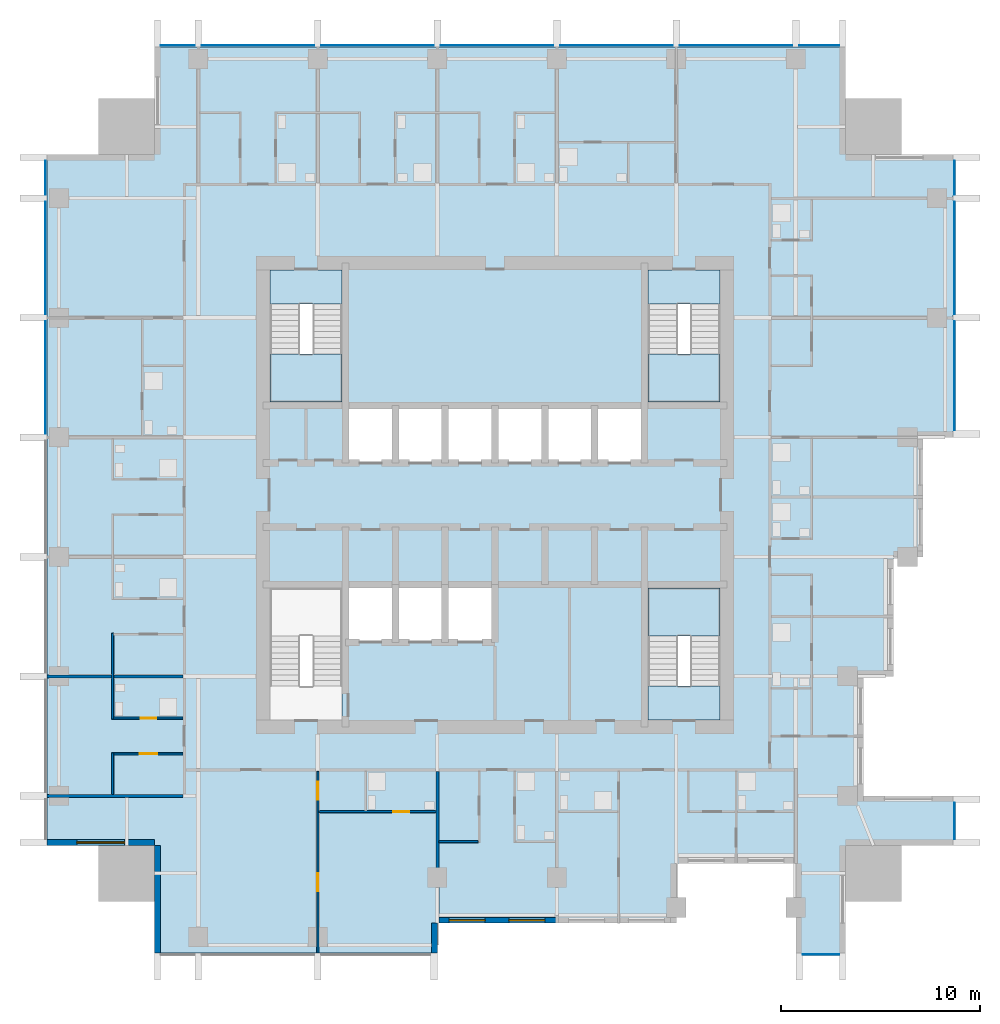
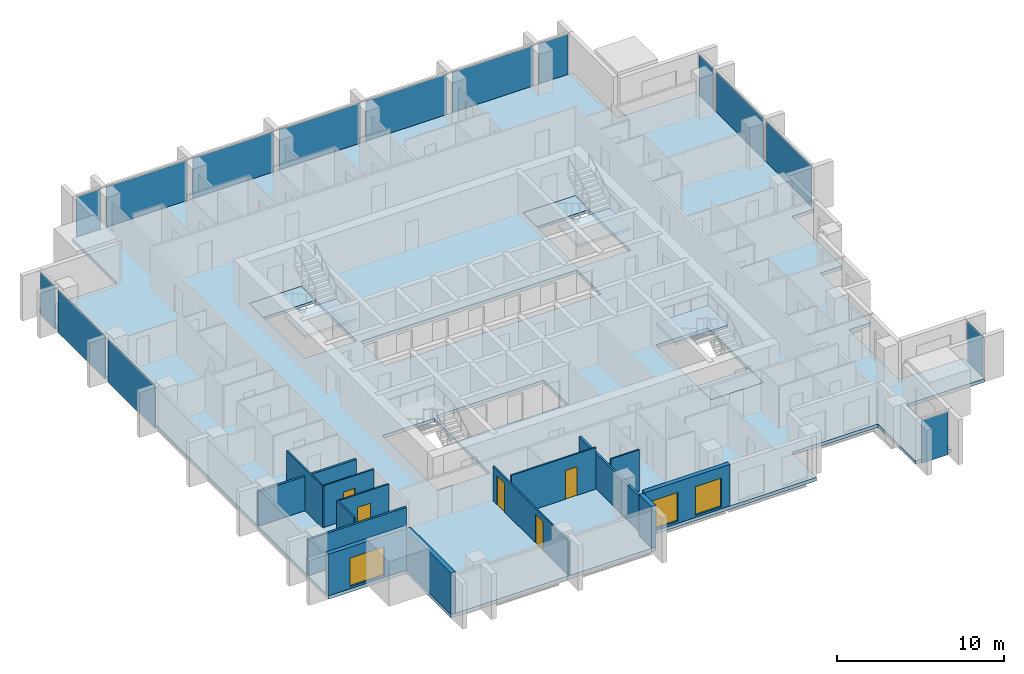
# One storey, part 3 of 10: 15 plates, 14 walls, 7 slabs, 5 doors, 3 windows, 8 openings, 8 elements without a shape of their own.
"""IFC4 building model written with IfcOpenShell, lengths in metres."""

from ifc_helpers import new_model, si_unit, direction, frame, frame_2d, origin, origin_2d, place, context, subcontext, project, spatial, polyline, rectangle, outline, extrude, material, layer, layer_set, type_object, element, fill, aggregate, save


model = new_model("IFC4")

# Units and contexts
model_context = context("Model", 3, precision=1e-05, world=origin(), true_north=direction((0.0, 1.0)))
body_context = subcontext(model_context, "Body", "Model", "MODEL_VIEW")
ifc_project = project(units=[si_unit("LENGTHUNIT", "METRE"), si_unit("AREAUNIT", "SQUARE_METRE"), si_unit("VOLUMEUNIT", "CUBIC_METRE"), si_unit("PLANEANGLEUNIT", "RADIAN"), si_unit("MASSUNIT", "GRAM", prefix="KILO")], contexts=[model_context])

# Site, building, storey
site_placement = place(None, origin())
site = spatial("IfcSite", under=ifc_project, at=site_placement, CompositionType="ELEMENT")
building_placement = place(site_placement, origin())
building = spatial("IfcBuilding", under=site, at=building_placement, Name="Amberfall Residences", CompositionType="ELEMENT")
storey_placement = place(building_placement, frame((0.0, 0.0, 158.199951171875)))
storey = spatial("IfcBuildingStorey", under=building, at=storey_placement, Name="L42", CompositionType="ELEMENT", Elevation=158.199951171875)

# Curtain wall, plate
ifc_material_1 = material(Name="Bronze anodised aluminium and glass", Category="aluminium")
curtain_wall_type = type_object("IfcCurtainWallType", Name="Curtain wall CW1 tower unit", PredefinedType="USERDEFINED", material=ifc_material_1)
curtain_wall_1_placement = place(storey_placement, origin())
curtain_wall_1 = element("IfcCurtainWall", 1, at=curtain_wall_1_placement, inside=storey, type_object=curtain_wall_type, Name="Curtain wall L42 S S8", ObjectType="UNITISED CURTAIN WALL", PredefinedType="USERDEFINED")
ifc_material_2 = material(Name="Tinted double glazed unit", Category="glass")
ifc_layer_1 = layer(ifc_material_2, 0.035888671875)
ifc_layer_set_1 = layer_set([ifc_layer_1], Name="CW1 panel 36 glazing")
plate_type = type_object("IfcPlateType", Name="CW1 panel 36 glazing", PredefinedType="CURTAIN_PANEL", material=ifc_layer_set_1)
plate_1_placement = place(storey_placement, frame((90.875, 22.425048828125, -0.25), z_axis=(0.0, 0.0, 1.0), x_axis=(1.0, 0.0, 0.0)))
plate_1 = element("IfcPlate", 2, at=plate_1_placement, type_object=plate_type, Name="CW1 panel 1.1", PredefinedType="CURTAIN_PANEL", context=body_context, shape_type="SweptSolid", body=[
    extrude(rectangle(XDim=1.825927734375, YDim=0.035888671875, at=origin_2d()), origin(), (0.0, 0.0, 1.0), 3.14990234375),
])
aggregate(curtain_wall_1, [plate_1])

curtain_wall_2_placement = place(storey_placement, origin())
curtain_wall_2 = element("IfcCurtainWall", 3, at=curtain_wall_2_placement, inside=storey, type_object=curtain_wall_type, Name="Curtain wall L42 E E1", ObjectType="UNITISED CURTAIN WALL", PredefinedType="USERDEFINED")
plate_2_placement = place(storey_placement, frame((97.574951171875, 29.125, -0.25), z_axis=(0.0, 0.0, 1.0), x_axis=(0.0, 1.0, 0.0)))
plate_2 = element("IfcPlate", 4, at=plate_2_placement, type_object=plate_type, Name="CW1 panel 1.1", PredefinedType="CURTAIN_PANEL", context=body_context, shape_type="SweptSolid", body=[
    extrude(rectangle(XDim=1.825927734375, YDim=0.035888671875, at=origin_2d()), origin(), (0.0, 0.0, 1.0), 3.14990234375),
])
aggregate(curtain_wall_2, [plate_2])

# Curtain wall, plates
curtain_wall_3_placement = place(storey_placement, origin())
curtain_wall_3 = element("IfcCurtainWall", 5, at=curtain_wall_3_placement, inside=storey, type_object=curtain_wall_type, Name="Curtain wall L42 E E9", ObjectType="UNITISED CURTAIN WALL", PredefinedType="USERDEFINED")
plate_3_placement = place(storey_placement, frame((97.574951171875, 51.487548828125, -0.25), z_axis=(0.0, 0.0, 1.0), x_axis=(0.0, 1.0, 0.0)))
plate_3 = element("IfcPlate", 6, at=plate_3_placement, type_object=plate_type, Name="CW1 panel 1.1", PredefinedType="CURTAIN_PANEL", context=body_context, shape_type="SweptSolid", body=[
    extrude(rectangle(XDim=5.450927734375, YDim=0.035888671875, at=origin_2d()), origin(), (0.0, 0.0, 1.0), 3.14990234375),
])
plate_4_placement = place(storey_placement, frame((97.574951171875, 57.39990234375, -0.25), z_axis=(0.0, 0.0, 1.0), x_axis=(0.0, 1.0, 0.0)))
plate_4 = element("IfcPlate", 7, at=plate_4_placement, type_object=plate_type, Name="CW1 panel 2.1", PredefinedType="CURTAIN_PANEL", context=body_context, shape_type="SweptSolid", body=[
    extrude(rectangle(XDim=5.6259765625, YDim=0.035888671875, at=origin_2d()), origin(), (0.0, 0.0, 1.0), 3.14990234375),
])
plate_5_placement = place(storey_placement, frame((97.574951171875, 61.4375, -0.25), z_axis=(0.0, 0.0, 1.0), x_axis=(0.0, 1.0, 0.0)))
plate_5 = element("IfcPlate", 8, at=plate_5_placement, type_object=plate_type, Name="CW1 panel 3.1", PredefinedType="CURTAIN_PANEL", context=body_context, shape_type="SweptSolid", body=[
    extrude(rectangle(XDim=1.700927734375, YDim=0.035888671875, at=origin_2d()), origin(), (0.0, 0.0, 1.0), 3.14990234375),
])
aggregate(curtain_wall_3, [plate_3, plate_4, plate_5])

curtain_wall_4_placement = place(storey_placement, origin())
curtain_wall_4 = element("IfcCurtainWall", 9, at=curtain_wall_4_placement, inside=storey, type_object=curtain_wall_type, Name="Curtain wall L42 N N1", ObjectType="UNITISED CURTAIN WALL", PredefinedType="USERDEFINED")
plate_6_placement = place(storey_placement, frame((90.78759765625, 68.074951171875, -0.25), z_axis=(0.0, 0.0, 1.0), x_axis=(-1.0, 0.0, 0.0)))
plate_6 = element("IfcPlate", 10, at=plate_6_placement, type_object=plate_type, Name="CW1 panel 1.1", PredefinedType="CURTAIN_PANEL", context=body_context, shape_type="SweptSolid", body=[
    extrude(rectangle(XDim=2.0009765625, YDim=0.035888671875, at=origin_2d()), origin(), (0.0, 0.0, 1.0), 3.14990234375),
])
plate_7_placement = place(storey_placement, frame((86.60009765625, 68.074951171875, -0.25), z_axis=(0.0, 0.0, 1.0), x_axis=(-1.0, 0.0, 0.0)))
plate_7 = element("IfcPlate", 11, at=plate_7_placement, type_object=plate_type, Name="CW1 panel 2.1", PredefinedType="CURTAIN_PANEL", context=body_context, shape_type="SweptSolid", body=[
    extrude(rectangle(XDim=5.6259765625, YDim=0.035888671875, at=origin_2d()), origin(), (0.0, 0.0, 1.0), 3.14990234375),
])
plate_8_placement = place(storey_placement, frame((80.60009765625, 68.074951171875, -0.25), z_axis=(0.0, 0.0, 1.0), x_axis=(-1.0, 0.0, 0.0)))
plate_8 = element("IfcPlate", 12, at=plate_8_placement, type_object=plate_type, Name="CW1 panel 3.1", PredefinedType="CURTAIN_PANEL", context=body_context, shape_type="SweptSolid", body=[
    extrude(rectangle(XDim=5.6259765625, YDim=0.035888671875, at=origin_2d()), origin(), (0.0, 0.0, 1.0), 3.14990234375),
])
plate_9_placement = place(storey_placement, frame((74.60009765625, 68.074951171875, -0.25), z_axis=(0.0, 0.0, 1.0), x_axis=(-1.0, 0.0, 0.0)))
plate_9 = element("IfcPlate", 13, at=plate_9_placement, type_object=plate_type, Name="CW1 panel 4.1", PredefinedType="CURTAIN_PANEL", context=body_context, shape_type="SweptSolid", body=[
    extrude(rectangle(XDim=5.6259765625, YDim=0.035888671875, at=origin_2d()), origin(), (0.0, 0.0, 1.0), 3.14990234375),
])
plate_10_placement = place(storey_placement, frame((68.60009765625, 68.074951171875, -0.25), z_axis=(0.0, 0.0, 1.0), x_axis=(-1.0, 0.0, 0.0)))
plate_10 = element("IfcPlate", 14, at=plate_10_placement, type_object=plate_type, Name="CW1 panel 5.1", PredefinedType="CURTAIN_PANEL", context=body_context, shape_type="SweptSolid", body=[
    extrude(rectangle(XDim=5.6259765625, YDim=0.035888671875, at=origin_2d()), origin(), (0.0, 0.0, 1.0), 3.14990234375),
])
plate_11_placement = place(storey_placement, frame((62.60009765625, 68.074951171875, -0.25), z_axis=(0.0, 0.0, 1.0), x_axis=(-1.0, 0.0, 0.0)))
plate_11 = element("IfcPlate", 15, at=plate_11_placement, type_object=plate_type, Name="CW1 panel 6.1", PredefinedType="CURTAIN_PANEL", context=body_context, shape_type="SweptSolid", body=[
    extrude(rectangle(XDim=5.6259765625, YDim=0.035888671875, at=origin_2d()), origin(), (0.0, 0.0, 1.0), 3.14990234375),
])
plate_12_placement = place(storey_placement, frame((58.5625, 68.074951171875, -0.25), z_axis=(0.0, 0.0, 1.0), x_axis=(-1.0, 0.0, 0.0)))
plate_12 = element("IfcPlate", 16, at=plate_12_placement, type_object=plate_type, Name="CW1 panel 7.1", PredefinedType="CURTAIN_PANEL", context=body_context, shape_type="SweptSolid", body=[
    extrude(rectangle(XDim=1.700927734375, YDim=0.035888671875, at=origin_2d()), origin(), (0.0, 0.0, 1.0), 3.14990234375),
])
aggregate(curtain_wall_4, [plate_6, plate_7, plate_8, plate_9, plate_10, plate_11, plate_12])

curtain_wall_5_placement = place(storey_placement, origin())
curtain_wall_5 = element("IfcCurtainWall", 17, at=curtain_wall_5_placement, inside=storey, type_object=curtain_wall_type, Name="Curtain wall L42 W W1", ObjectType="UNITISED CURTAIN WALL", PredefinedType="USERDEFINED")
plate_13_placement = place(storey_placement, frame((51.925048828125, 61.4375, -0.25), z_axis=(0.0, 0.0, 1.0), x_axis=(0.0, -1.0, 0.0)))
plate_13 = element("IfcPlate", 18, at=plate_13_placement, type_object=plate_type, Name="CW1 panel 1.1", PredefinedType="CURTAIN_PANEL", context=body_context, shape_type="SweptSolid", body=[
    extrude(rectangle(XDim=1.700927734375, YDim=0.035888671875, at=origin_2d()), origin(), (0.0, 0.0, 1.0), 3.14990234375),
])
plate_14_placement = place(storey_placement, frame((51.925048828125, 57.39990234375, -0.25), z_axis=(0.0, 0.0, 1.0), x_axis=(0.0, -1.0, 0.0)))
plate_14 = element("IfcPlate", 19, at=plate_14_placement, type_object=plate_type, Name="CW1 panel 2.1", PredefinedType="CURTAIN_PANEL", context=body_context, shape_type="SweptSolid", body=[
    extrude(rectangle(XDim=5.6259765625, YDim=0.035888671875, at=origin_2d()), origin(), (0.0, 0.0, 1.0), 3.14990234375),
])
plate_15_placement = place(storey_placement, frame((51.925048828125, 51.39990234375, -0.25), z_axis=(0.0, 0.0, 1.0), x_axis=(0.0, -1.0, 0.0)))
plate_15 = element("IfcPlate", 20, at=plate_15_placement, type_object=plate_type, Name="CW1 panel 3.1", PredefinedType="CURTAIN_PANEL", context=body_context, shape_type="SweptSolid", body=[
    extrude(rectangle(XDim=5.6259765625, YDim=0.035888671875, at=origin_2d()), origin(), (0.0, 0.0, 1.0), 3.14990234375),
])
aggregate(curtain_wall_5, [plate_13, plate_14, plate_15])

# Slab
ifc_material_3 = material(Name="Concrete C60", Category="concrete")
ifc_layer_2 = layer(ifc_material_3, 0.25)
ifc_layer_set_2 = layer_set([ifc_layer_2], Name="Floor slab 250 C60")
slab_type_1 = type_object("IfcSlabType", Name="Floor slab 250 C60", PredefinedType="FLOOR", material=ifc_layer_set_2)
slab_1_placement = place(storey_placement, frame((0.0, 0.0, -0.25)))
element("IfcSlab", 21, at=slab_1_placement, inside=storey, type_object=slab_type_1, Name="Floor slab S10 L42", PredefinedType="FLOOR", context=body_context, shape_type="SweptSolid", body=[
    extrude(outline(polyline([(89.60009765625, 22.5), (89.60009765625, 27.0), (83.60009765625, 27.0), (83.60009765625, 24.0), (77.60009765625, 24.0), (71.60009765625, 24.0), (71.60009765625, 22.5), (57.39990234375, 22.5), (57.39990234375, 27.89990234375), (52.0, 27.89990234375), (52.0, 62.60009765625), (57.39990234375, 62.60009765625), (57.39990234375, 68.0), (92.10009765625, 68.0), (92.10009765625, 62.60009765625), (97.5, 62.60009765625), (97.5, 48.39990234375), (96.0, 48.39990234375), (96.0, 42.39990234375), (94.5, 42.39990234375), (94.5, 36.39990234375), (93.0, 36.39990234375), (93.0, 30.39990234375), (97.5, 30.39990234375), (97.5, 27.89990234375), (92.10009765625, 27.89990234375), (92.10009765625, 22.5), (89.60009765625, 22.5)]), holes=[polyline([(85.800048828125, 34.199951171875), (85.800048828125, 40.824951171875), (82.175048828125, 40.824951171875), (82.175048828125, 34.199951171875), (85.800048828125, 34.199951171875)]), polyline([(85.800048828125, 50.175048828125), (85.800048828125, 56.800048828125), (82.175048828125, 56.800048828125), (82.175048828125, 50.175048828125), (85.800048828125, 50.175048828125)]), polyline([(67.0, 50.0), (67.0, 47.10009765625), (69.5, 47.10009765625), (72.0, 47.10009765625), (74.5, 47.10009765625), (77.0, 47.10009765625), (79.5, 47.10009765625), (82.0, 47.10009765625), (82.0, 50.0), (79.5, 50.0), (77.0, 50.0), (74.5, 50.0), (72.0, 50.0), (69.5, 50.0), (67.0, 50.0)]), polyline([(69.5, 41.0), (67.0, 41.0), (67.0, 38.10009765625), (69.5, 38.10009765625), (72.0, 38.10009765625), (74.5, 38.10009765625), (74.5, 41.0), (72.0, 41.0), (69.5, 41.0)]), polyline([(66.824951171875, 40.824951171875), (63.199951171875, 40.824951171875), (63.199951171875, 34.199951171875), (66.824951171875, 34.199951171875), (66.824951171875, 40.824951171875)]), polyline([(66.824951171875, 56.800048828125), (63.199951171875, 56.800048828125), (63.199951171875, 50.175048828125), (66.824951171875, 50.175048828125), (66.824951171875, 56.800048828125)])]), origin(), (0.0, 0.0, 1.0), 0.25),
])

# Stair, slabs
ifc_material_4 = material(Name="Concrete C40", Category="concrete")
stair_type = type_object("IfcStairType", Name="Exit stair 20 risers 165.0 mm", PredefinedType="HALF_TURN_STAIR", material=ifc_material_4)
stair_1_placement = place(storey_placement, origin())
stair_1 = element("IfcStair", 22, at=stair_1_placement, inside=storey, type_object=stair_type, Name="L42 Exit stair 2", PredefinedType="HALF_TURN_STAIR")
ifc_layer_3 = layer(ifc_material_4, 0.199951171875)
ifc_layer_set_3 = layer_set([ifc_layer_3], Name="Stair landing 200")
slab_type_2 = type_object("IfcSlabType", Name="Stair landing 200", PredefinedType="LANDING", material=ifc_layer_set_3)
slab_2_placement = place(storey_placement, frame((0.0, 0.0, 1.449951171875)))
slab_2 = element("IfcSlab", 23, at=slab_2_placement, type_object=slab_type_2, Name="ST3 landing 1", PredefinedType="LANDING", context=body_context, shape_type="SweptSolid", body=[
    extrude(outline(polyline([(85.800048828125, 38.419921875), (85.800048828125, 40.824951171875), (82.175048828125, 40.824951171875), (82.175048828125, 38.419921875), (85.800048828125, 38.419921875)])), origin(), (0.0, 0.0, 1.0), 0.2001953125),
])
slab_3_placement = place(storey_placement, frame((0.0, 0.0, -0.199951171875)))
slab_3 = element("IfcSlab", 24, at=slab_3_placement, type_object=slab_type_2, Name="ST3 landing 2", PredefinedType="LANDING", context=body_context, shape_type="SweptSolid", body=[
    extrude(outline(polyline([(85.800048828125, 34.199951171875), (85.800048828125, 35.89990234375), (82.175048828125, 35.89990234375), (82.175048828125, 34.199951171875), (85.800048828125, 34.199951171875)])), origin(), (0.0, 0.0, 1.0), 0.199951171875),
])
aggregate(stair_1, [slab_2, slab_3])

stair_2_placement = place(storey_placement, origin())
stair_2 = element("IfcStair", 25, at=stair_2_placement, inside=storey, type_object=stair_type, Name="L42 Exit stair 3", PredefinedType="HALF_TURN_STAIR")
slab_4_placement = place(storey_placement, frame((0.0, 0.0, 1.449951171875)))
slab_4 = element("IfcSlab", 26, at=slab_4_placement, type_object=slab_type_2, Name="ST3 landing 1", PredefinedType="LANDING", context=body_context, shape_type="SweptSolid", body=[
    extrude(outline(polyline([(82.175048828125, 52.580078125), (82.175048828125, 50.175048828125), (85.800048828125, 50.175048828125), (85.800048828125, 52.580078125), (82.175048828125, 52.580078125)])), origin(), (0.0, 0.0, 1.0), 0.2001953125),
])
slab_5_placement = place(storey_placement, frame((0.0, 0.0, -0.199951171875)))
slab_5 = element("IfcSlab", 27, at=slab_5_placement, type_object=slab_type_2, Name="ST3 landing 2", PredefinedType="LANDING", context=body_context, shape_type="SweptSolid", body=[
    extrude(outline(polyline([(82.175048828125, 56.800048828125), (82.175048828125, 55.10009765625), (85.800048828125, 55.10009765625), (85.800048828125, 56.800048828125), (82.175048828125, 56.800048828125)])), origin(), (0.0, 0.0, 1.0), 0.199951171875),
])
aggregate(stair_2, [slab_4, slab_5])

stair_3_placement = place(storey_placement, origin())
stair_3 = element("IfcStair", 28, at=stair_3_placement, inside=storey, type_object=stair_type, Name="L42 Exit stair 4", PredefinedType="HALF_TURN_STAIR")
slab_6_placement = place(storey_placement, frame((0.0, 0.0, 1.449951171875)))
slab_6 = element("IfcSlab", 29, at=slab_6_placement, type_object=slab_type_2, Name="ST3 landing 1", PredefinedType="LANDING", context=body_context, shape_type="SweptSolid", body=[
    extrude(outline(polyline([(63.199951171875, 52.580078125), (63.199951171875, 50.175048828125), (66.824951171875, 50.175048828125), (66.824951171875, 52.580078125), (63.199951171875, 52.580078125)])), origin(), (0.0, 0.0, 1.0), 0.2001953125),
])
slab_7_placement = place(storey_placement, frame((0.0, 0.0, -0.199951171875)))
slab_7 = element("IfcSlab", 30, at=slab_7_placement, type_object=slab_type_2, Name="ST3 landing 2", PredefinedType="LANDING", context=body_context, shape_type="SweptSolid", body=[
    extrude(outline(polyline([(63.199951171875, 56.800048828125), (63.199951171875, 55.10009765625), (66.824951171875, 55.10009765625), (66.824951171875, 56.800048828125), (63.199951171875, 56.800048828125)])), origin(), (0.0, 0.0, 1.0), 0.199951171875),
])
aggregate(stair_3, [slab_6, slab_7])

# Wall
ifc_material_5 = material(Name="Pale stone cladding on insulated backing", Category="masonry")
ifc_layer_4 = layer(ifc_material_5, 0.300048828125)
ifc_layer_set_4 = layer_set([ifc_layer_4], Name="Bronze clad wall 300")
wall_type_1 = type_object("IfcWallType", Name="Bronze clad wall 300", PredefinedType="SOLIDWALL", material=ifc_layer_set_4)
wall_1_placement = place(storey_placement, frame((71.449951171875, 22.5, 0.0), z_axis=(0.0, 0.0, 1.0), x_axis=(0.0, 1.0, 0.0)))
element("IfcWall", 31, at=wall_1_placement, inside=storey, type_object=wall_type_1, Name="External wall L42 S", PredefinedType="SOLIDWALL", context=body_context, shape_type="SweptSolid", body=[
    extrude(rectangle(XDim=1.5, YDim=0.300048828125, at=frame_2d((0.75, 0.0))), origin(), (0.0, 0.0, 1.0), 3.050048828125),
])

# Wall, opening, window
wall_2_placement = place(storey_placement, frame((52.0, 28.050048828125, 0.0), z_axis=(0.0, 0.0, 1.0), x_axis=(1.0, 0.0, 0.0)))
wall_2 = element("IfcWall", 32, at=wall_2_placement, inside=storey, type_object=wall_type_1, Name="External wall L42 SW", PredefinedType="SOLIDWALL", context=body_context, shape_type="SweptSolid", body=[
    extrude(rectangle(XDim=5.39990234375, YDim=0.300048828125, at=frame_2d((2.699951171875, 0.0))), origin(), (0.0, 0.0, 1.0), 3.050048828125),
])
opening_1_placement = place(wall_2_placement, frame((1.5, 0.0, 0.14990234375)))
opening_1 = element("IfcOpeningElement", 33, at=opening_1_placement, cuts=wall_2, Name="Opening WN5", PredefinedType="OPENING", context=body_context, shape_type="SweptSolid", body=[
    extrude(rectangle(XDim=2.39990234375, YDim=2.10009765625, at=frame_2d((1.199951171875, 1.050048828125))), frame((0.0, 0.159912109375, 0.0), z_axis=(0.0, -1.0, 0.0), x_axis=(1.0, 0.0, 0.0)), (0.0, 0.0, 1.0), 0.320068359375),
])
ifc_material_6 = material(Name="Bronze aluminium framed glazing", Category="aluminium")
window_type_1 = type_object("IfcWindowType", Name="Glazed opening 2400 x 2100 bronze", PartitioningType="DOUBLE_PANEL_VERTICAL", PredefinedType="WINDOW", material=ifc_material_6)
window_1_placement = place(opening_1_placement, origin())
window_1 = element("IfcWindow", 34, at=window_1_placement, inside=storey, type_object=window_type_1, Name="Window L42 SW", OverallHeight=2.10009765625, OverallWidth=2.39990234375, PartitioningType="DOUBLE_PANEL_VERTICAL", PredefinedType="WINDOW", context=body_context, shape_type="SweptSolid", body=[
    extrude(rectangle(XDim=2.39990234375, YDim=2.10009765625, at=frame_2d((1.199951171875, 1.050048828125))), frame((0.0, 0.030029296875, 0.0), z_axis=(0.0, -1.0, 0.0), x_axis=(1.0, 0.0, 0.0)), (0.0, 0.0, 1.0), 0.06005859375),
])
fill(opening_1, window_1)

# Wall
wall_3_placement = place(storey_placement, frame((57.550048828125, 27.89990234375, 0.0), z_axis=(0.0, 0.0, 1.0), x_axis=(0.0, -1.0, 0.0)))
element("IfcWall", 35, at=wall_3_placement, inside=storey, type_object=wall_type_1, Name="External wall L42 SW", PredefinedType="SOLIDWALL", context=body_context, shape_type="SweptSolid", body=[
    extrude(rectangle(XDim=5.39990234375, YDim=0.300048828125, at=frame_2d((2.699951171875, 0.0))), origin(), (0.0, 0.0, 1.0), 3.050048828125),
])

# Wall, openings, windows
wall_4_placement = place(storey_placement, frame((71.68994140625, 24.14990234375, 0.0), z_axis=(0.0, 0.0, 1.0), x_axis=(1.0, 0.0, 0.0)))
wall_4 = element("IfcWall", 36, at=wall_4_placement, inside=storey, type_object=wall_type_1, Name="Stone wall L42 S", PredefinedType="SOLIDWALL", context=body_context, shape_type="SweptSolid", body=[
    extrude(rectangle(XDim=5.91015625, YDim=0.300048828125, at=frame_2d((2.955078125, 0.0))), origin(), (0.0, 0.0, 1.0), 3.050048828125),
])
opening_2_placement = place(wall_4_placement, frame((0.510009765625, 0.0, 0.14990234375)))
opening_2 = element("IfcOpeningElement", 37, at=opening_2_placement, cuts=wall_4, Name="Opening WN6", PredefinedType="OPENING", context=body_context, shape_type="SweptSolid", body=[
    extrude(rectangle(XDim=1.800048828125, YDim=2.10009765625, at=frame_2d((0.89990234375, 1.050048828125))), frame((0.0, 0.159912109375, 0.0), z_axis=(0.0, -1.0, 0.0), x_axis=(1.0, 0.0, 0.0)), (0.0, 0.0, 1.0), 0.320068359375),
])
opening_3_placement = place(wall_4_placement, frame((3.510009765625, 0.0, 0.14990234375)))
opening_3 = element("IfcOpeningElement", 38, at=opening_3_placement, cuts=wall_4, Name="Opening WN6", PredefinedType="OPENING", context=body_context, shape_type="SweptSolid", body=[
    extrude(rectangle(XDim=1.800048828125, YDim=2.10009765625, at=frame_2d((0.89990234375, 1.050048828125))), frame((0.0, 0.159912109375, 0.0), z_axis=(0.0, -1.0, 0.0), x_axis=(1.0, 0.0, 0.0)), (0.0, 0.0, 1.0), 0.320068359375),
])
window_type_2 = type_object("IfcWindowType", Name="Glazed opening 1800 x 2100 bronze", PartitioningType="DOUBLE_PANEL_VERTICAL", PredefinedType="WINDOW", material=ifc_material_6)
window_2_placement = place(opening_2_placement, origin())
window_2 = element("IfcWindow", 39, at=window_2_placement, inside=storey, type_object=window_type_2, Name="Window L42 S", OverallHeight=2.10009765625, OverallWidth=1.800048828125, PartitioningType="DOUBLE_PANEL_VERTICAL", PredefinedType="WINDOW", context=body_context, shape_type="SweptSolid", body=[
    extrude(rectangle(XDim=1.800048828125, YDim=2.10009765625, at=frame_2d((0.89990234375, 1.050048828125))), frame((0.0, 0.030029296875, 0.0), z_axis=(0.0, -1.0, 0.0), x_axis=(1.0, 0.0, 0.0)), (0.0, 0.0, 1.0), 0.06005859375),
])
fill(opening_2, window_2)
window_3_placement = place(opening_3_placement, origin())
window_3 = element("IfcWindow", 40, at=window_3_placement, inside=storey, type_object=window_type_2, Name="Window L42 S", OverallHeight=2.10009765625, OverallWidth=1.800048828125, PartitioningType="DOUBLE_PANEL_VERTICAL", PredefinedType="WINDOW", context=body_context, shape_type="SweptSolid", body=[
    extrude(rectangle(XDim=1.800048828125, YDim=2.10009765625, at=frame_2d((0.89990234375, 1.050048828125))), frame((0.0, 0.030029296875, 0.0), z_axis=(0.0, -1.0, 0.0), x_axis=(1.0, 0.0, 0.0)), (0.0, 0.0, 1.0), 0.06005859375),
])
fill(opening_3, window_3)

# Walls
ifc_material_7 = material(Name="Gypsum board on metal stud")
ifc_layer_5 = layer(ifc_material_7, 0.10009765625)
ifc_layer_set_5 = layer_set([ifc_layer_5], Name="Flat partition 100")
wall_type_2 = type_object("IfcWallType", Name="Flat partition 100", PredefinedType="PARTITIONING", material=ifc_layer_set_5)
wall_5_placement = place(storey_placement, frame((55.300048828125, 30.47509765625, 0.0), z_axis=(0.0, 0.0, 1.0), x_axis=(0.0, 1.0, 0.0)))
element("IfcWall", 41, at=wall_5_placement, inside=storey, type_object=wall_type_2, Name="Partition 001", PredefinedType="PARTITIONING", context=body_context, shape_type="SweptSolid", body=[
    extrude(rectangle(XDim=2.074951171875, YDim=0.10009765625, at=frame_2d((1.03759765625, 0.0))), origin(), (0.0, 0.0, 1.0), 3.050048828125),
])
wall_6_placement = place(storey_placement, frame((55.300048828125, 34.25, 0.0), z_axis=(0.0, 0.0, 1.0), x_axis=(0.0, 1.0, 0.0)))
element("IfcWall", 42, at=wall_6_placement, inside=storey, type_object=wall_type_2, Name="Partition 002", PredefinedType="PARTITIONING", context=body_context, shape_type="SweptSolid", body=[
    extrude(rectangle(XDim=4.300048828125, YDim=0.10009765625, at=frame_2d((2.14990234375, 0.0))), origin(), (0.0, 0.0, 1.0), 3.050048828125),
])

# Wall, openings, doors
wall_7_placement = place(storey_placement, frame((65.60009765625, 31.625, 0.0), z_axis=(0.0, 0.0, 1.0), x_axis=(0.0, -1.0, 0.0)))
wall_7 = element("IfcWall", 43, at=wall_7_placement, inside=storey, type_object=wall_type_2, Name="Partition 008", PredefinedType="PARTITIONING", context=body_context, shape_type="SweptSolid", body=[
    extrude(rectangle(XDim=9.125, YDim=0.10009765625, at=frame_2d((4.5625, 0.0))), origin(), (0.0, 0.0, 1.0), 2.51611328125),
])
opening_4_placement = place(wall_7_placement, frame((0.52490234375, 0.0, 0.0)))
opening_4 = element("IfcOpeningElement", 44, at=opening_4_placement, cuts=wall_7, Name="Opening D41", PredefinedType="OPENING", context=body_context, shape_type="SweptSolid", body=[
    extrude(rectangle(XDim=0.89990234375, YDim=2.10009765625, at=frame_2d((0.449951171875, 1.050048828125))), frame((0.0, 0.06005859375, 0.0), z_axis=(0.0, -1.0, 0.0), x_axis=(1.0, 0.0, 0.0)), (0.0, 0.0, 1.0), 0.1201171875),
])
opening_5_placement = place(wall_7_placement, frame((5.125, 0.0, 0.0)))
opening_5 = element("IfcOpeningElement", 45, at=opening_5_placement, cuts=wall_7, Name="Opening D41", PredefinedType="OPENING", context=body_context, shape_type="SweptSolid", body=[
    extrude(rectangle(XDim=0.89990234375, YDim=2.10009765625, at=frame_2d((0.449951171875, 1.050048828125))), frame((0.0, 0.06005859375, 0.0), z_axis=(0.0, -1.0, 0.0), x_axis=(1.0, 0.0, 0.0)), (0.0, 0.0, 1.0), 0.1201171875),
])
ifc_material_8 = material(Name="Timber", Category="wood")
door_type_1 = type_object("IfcDoorType", Name="Internal door 900 x 2100", OperationType="SINGLE_SWING_LEFT", PredefinedType="DOOR", material=ifc_material_8)
door_1_placement = place(opening_4_placement, origin())
door_1 = element("IfcDoor", 46, at=door_1_placement, inside=storey, type_object=door_type_1, Name="Door 4201 kitchen", OperationType="SINGLE_SWING_LEFT", OverallHeight=2.10009765625, OverallWidth=0.89990234375, PredefinedType="DOOR", context=body_context, shape_type="SweptSolid", body=[
    extrude(rectangle(XDim=0.89990234375, YDim=2.10009765625, at=frame_2d((0.449951171875, 1.050048828125))), frame((0.0, 0.02490234375, 0.0), z_axis=(0.0, -1.0, 0.0), x_axis=(1.0, 0.0, 0.0)), (0.0, 0.0, 1.0), 0.050048828125),
])
fill(opening_4, door_1)
door_2_placement = place(opening_5_placement, origin())
door_2 = element("IfcDoor", 47, at=door_2_placement, inside=storey, type_object=door_type_1, Name="Door 4201 bedroom1", OperationType="SINGLE_SWING_LEFT", OverallHeight=2.10009765625, OverallWidth=0.89990234375, PredefinedType="DOOR", context=body_context, shape_type="SweptSolid", body=[
    extrude(rectangle(XDim=0.89990234375, YDim=2.10009765625, at=frame_2d((0.449951171875, 1.050048828125))), frame((0.0, 0.02490234375, 0.0), z_axis=(0.0, -1.0, 0.0), x_axis=(1.0, 0.0, 0.0)), (0.0, 0.0, 1.0), 0.050048828125),
])
fill(opening_5, door_2)

# Wall, opening, door
wall_8_placement = place(storey_placement, frame((55.35009765625, 34.300048828125, 0.0), z_axis=(0.0, 0.0, 1.0), x_axis=(1.0, 0.0, 0.0)))
wall_8 = element("IfcWall", 48, at=wall_8_placement, inside=storey, type_object=wall_type_2, Name="Partition 043", PredefinedType="PARTITIONING", context=body_context, shape_type="SweptSolid", body=[
    extrude(rectangle(XDim=3.474853515625, YDim=0.10009765625, at=frame_2d((1.7373046875, 0.0))), origin(), (0.0, 0.0, 1.0), 3.050048828125),
])
opening_6_placement = place(wall_8_placement, frame((1.35009765625, 0.0, 0.0)))
opening_6 = element("IfcOpeningElement", 49, at=opening_6_placement, cuts=wall_8, Name="Opening D42", PredefinedType="OPENING", context=body_context, shape_type="SweptSolid", body=[
    extrude(rectangle(XDim=0.800048828125, YDim=2.10009765625, at=frame_2d((0.39990234375, 1.050048828125))), frame((0.0, 0.06005859375, 0.0), z_axis=(0.0, -1.0, 0.0), x_axis=(1.0, 0.0, 0.0)), (0.0, 0.0, 1.0), 0.1201171875),
])
door_type_2 = type_object("IfcDoorType", Name="Bathroom door 800 x 2100", OperationType="SINGLE_SWING_LEFT", PredefinedType="DOOR", material=ifc_material_8)
door_3_placement = place(opening_6_placement, origin())
door_3 = element("IfcDoor", 50, at=door_3_placement, inside=storey, type_object=door_type_2, Name="Door 4212 bath1", OperationType="SINGLE_SWING_LEFT", OverallHeight=2.10009765625, OverallWidth=0.800048828125, PredefinedType="DOOR", context=body_context, shape_type="SweptSolid", body=[
    extrude(rectangle(XDim=0.800048828125, YDim=2.10009765625, at=frame_2d((0.39990234375, 1.050048828125))), frame((0.0, 0.02490234375, 0.0), z_axis=(0.0, -1.0, 0.0), x_axis=(1.0, 0.0, 0.0)), (0.0, 0.0, 1.0), 0.050048828125),
])
fill(opening_6, door_3)

wall_9_placement = place(storey_placement, frame((58.824951171875, 32.5, 0.0), z_axis=(0.0, 0.0, 1.0), x_axis=(-1.0, 0.0, 0.0)))
wall_9 = element("IfcWall", 51, at=wall_9_placement, inside=storey, type_object=wall_type_2, Name="Partition 045", PredefinedType="PARTITIONING", context=body_context, shape_type="SweptSolid", body=[
    extrude(rectangle(XDim=3.474853515625, YDim=0.10009765625, at=frame_2d((1.7373046875, 0.0))), origin(), (0.0, 0.0, 1.0), 3.050048828125),
])
opening_7_placement = place(wall_9_placement, frame((1.27490234375, 0.0, 0.0)))
opening_7 = element("IfcOpeningElement", 52, at=opening_7_placement, cuts=wall_9, Name="Opening D41", PredefinedType="OPENING", context=body_context, shape_type="SweptSolid", body=[
    extrude(rectangle(XDim=0.89990234375, YDim=2.10009765625, at=frame_2d((0.449951171875, 1.050048828125))), frame((0.0, 0.06005859375, 0.0), z_axis=(0.0, -1.0, 0.0), x_axis=(1.0, 0.0, 0.0)), (0.0, 0.0, 1.0), 0.1201171875),
])
door_4_placement = place(opening_7_placement, origin())
door_4 = element("IfcDoor", 53, at=door_4_placement, inside=storey, type_object=door_type_1, Name="Door 4212 kitchen", OperationType="SINGLE_SWING_LEFT", OverallHeight=2.10009765625, OverallWidth=0.89990234375, PredefinedType="DOOR", context=body_context, shape_type="SweptSolid", body=[
    extrude(rectangle(XDim=0.89990234375, YDim=2.10009765625, at=frame_2d((0.449951171875, 1.050048828125))), frame((0.0, 0.02490234375, 0.0), z_axis=(0.0, -1.0, 0.0), x_axis=(1.0, 0.0, 0.0)), (0.0, 0.0, 1.0), 0.050048828125),
])
fill(opening_7, door_4)

wall_10_placement = place(storey_placement, frame((65.64990234375, 29.60009765625, 0.0), z_axis=(0.0, 0.0, 1.0), x_axis=(1.0, 0.0, 0.0)))
wall_10 = element("IfcWall", 54, at=wall_10_placement, inside=storey, type_object=wall_type_2, Name="Partition 046", PredefinedType="PARTITIONING", context=body_context, shape_type="SweptSolid", body=[
    extrude(rectangle(XDim=5.875, YDim=0.10009765625, at=frame_2d((2.9375, 0.0))), origin(), (0.0, 0.0, 1.0), 3.050048828125),
])
opening_8_placement = place(wall_10_placement, frame((3.75, 0.0, 0.0)))
opening_8 = element("IfcOpeningElement", 55, at=opening_8_placement, cuts=wall_10, Name="Opening D42", PredefinedType="OPENING", context=body_context, shape_type="SweptSolid", body=[
    extrude(rectangle(XDim=0.800048828125, YDim=2.10009765625, at=frame_2d((0.39990234375, 1.050048828125))), frame((0.0, 0.06005859375, 0.0), z_axis=(0.0, -1.0, 0.0), x_axis=(1.0, 0.0, 0.0)), (0.0, 0.0, 1.0), 0.1201171875),
])
door_5_placement = place(opening_8_placement, origin())
door_5 = element("IfcDoor", 56, at=door_5_placement, inside=storey, type_object=door_type_2, Name="Door 4201 bath1", OperationType="SINGLE_SWING_LEFT", OverallHeight=2.10009765625, OverallWidth=0.800048828125, PredefinedType="DOOR", context=body_context, shape_type="SweptSolid", body=[
    extrude(rectangle(XDim=0.800048828125, YDim=2.10009765625, at=frame_2d((0.39990234375, 1.050048828125))), frame((0.0, 0.02490234375, 0.0), z_axis=(0.0, -1.0, 0.0), x_axis=(1.0, 0.0, 0.0)), (0.0, 0.0, 1.0), 0.050048828125),
])
fill(opening_8, door_5)

# Walls
wall_11_placement = place(storey_placement, frame((71.675048828125, 28.10009765625, 0.0), z_axis=(0.0, 0.0, 1.0), x_axis=(1.0, 0.0, 0.0)))
element("IfcWall", 57, at=wall_11_placement, inside=storey, type_object=wall_type_2, Name="Partition 049", PredefinedType="PARTITIONING", context=body_context, shape_type="SweptSolid", body=[
    extrude(rectangle(XDim=1.974853515625, YDim=0.10009765625, at=frame_2d((0.9873046875, 0.0))), origin(), (0.0, 0.0, 1.0), 3.050048828125),
])
ifc_material_9 = material(Name="Blockwork, plastered", Category="masonry")
ifc_layer_6 = layer(ifc_material_9, 0.14990234375)
ifc_layer_set_6 = layer_set([ifc_layer_6], Name="Flat separating wall 150")
wall_type_3 = type_object("IfcWallType", Name="Flat separating wall 150", PredefinedType="PARTITIONING", material=ifc_layer_set_6)
wall_12_placement = place(storey_placement, frame((71.60009765625, 24.0, 0.0), z_axis=(0.0, 0.0, 1.0), x_axis=(0.0, 1.0, 0.0)))
element("IfcWall", 58, at=wall_12_placement, inside=storey, type_object=wall_type_3, Name="Separating wall 054", PredefinedType="PARTITIONING", context=body_context, shape_type="SweptSolid", body=[
    extrude(rectangle(XDim=7.625, YDim=0.14990234375, at=frame_2d((3.8125, 0.0))), origin(), (0.0, 0.0, 1.0), 2.590087890625),
])
wall_13_placement = place(storey_placement, frame((52.0, 36.39990234375, 0.0), z_axis=(0.0, 0.0, 1.0), x_axis=(1.0, 0.0, 0.0)))
element("IfcWall", 59, at=wall_13_placement, inside=storey, type_object=wall_type_3, Name="Separating wall 067", PredefinedType="PARTITIONING", context=body_context, shape_type="SweptSolid", body=[
    extrude(rectangle(XDim=6.824951171875, YDim=0.14990234375, at=frame_2d((3.41259765625, 0.0))), origin(), (0.0, 0.0, 1.0), 2.51611328125),
])
wall_14_placement = place(storey_placement, frame((52.0, 30.39990234375, 0.0), z_axis=(0.0, 0.0, 1.0), x_axis=(1.0, 0.0, 0.0)))
element("IfcWall", 60, at=wall_14_placement, inside=storey, type_object=wall_type_3, Name="Separating wall 069", PredefinedType="PARTITIONING", context=body_context, shape_type="SweptSolid", body=[
    extrude(rectangle(XDim=6.824951171875, YDim=0.14990234375, at=frame_2d((3.41259765625, 0.0))), origin(), (0.0, 0.0, 1.0), 2.64697265625),
])

save(model, "model.ifc")
